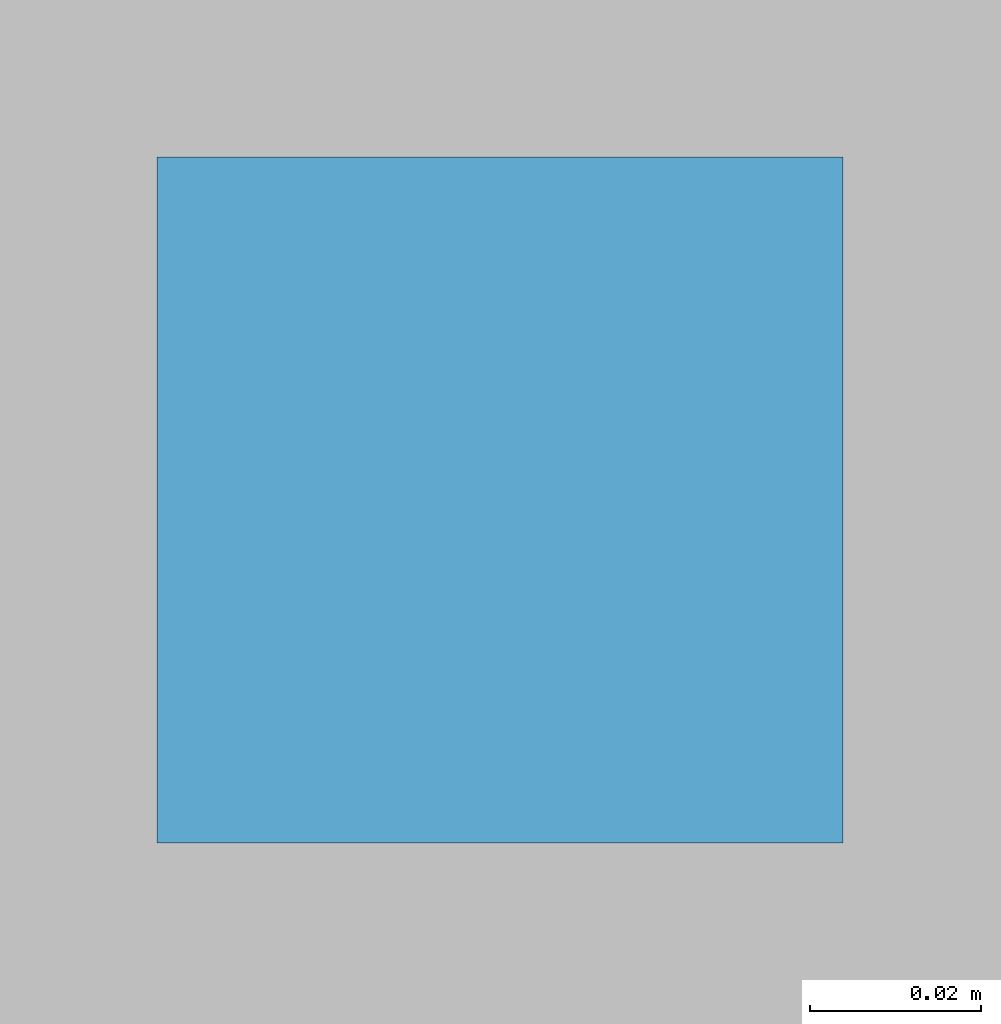
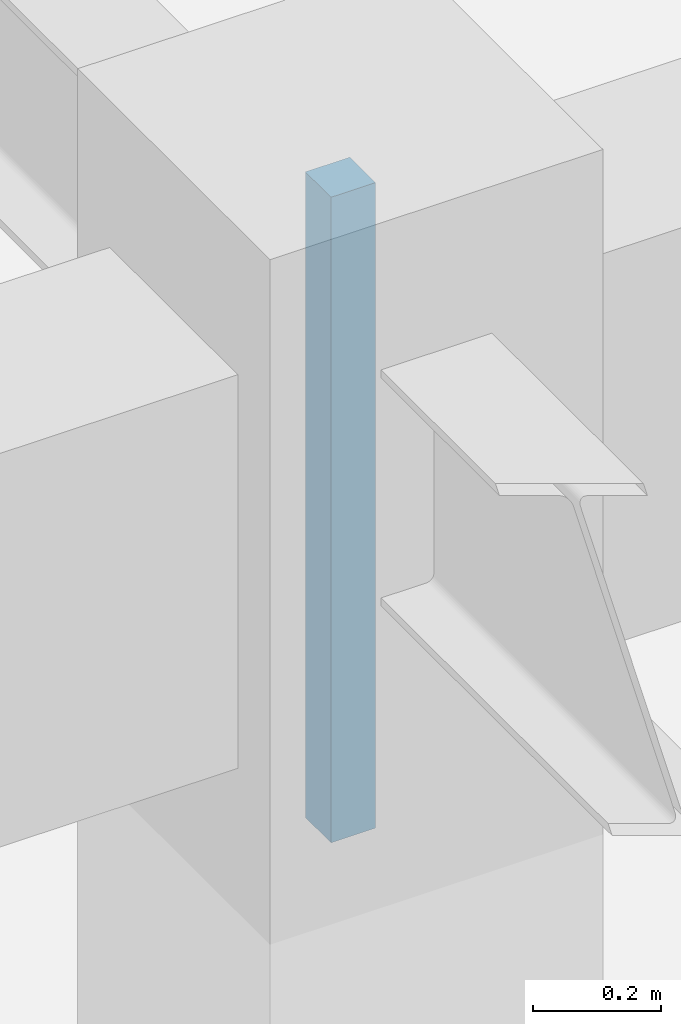
# One storey, part 110 of 126: 1 discrete accessory.
"""IFC4 building model written with IfcOpenShell, lengths in metres."""

import ifcopenshell
import ifcopenshell.guid

model = None  # the IFC model being written
_history = None  # IfcOwnerHistory: only IFC2X3 demands one
_inside = {}  # id of a spatial element -> (the spatial element, [elements in it])
_under = {}  # id of a project, library or spatial element -> (it, [spatial elements below it])
_declared = {}  # id of a project -> (the project, [libraries it declares])
_typed = {}  # id of a type object -> (the type object, [elements of that type])
_made_of = {}  # id of a material, layer set ... -> (it, [elements and type objects made of it])


def new_model(schema):
    """Start an empty IFC model of exactly this schema.

    Asked for "IFC4X3", IfcOpenShell would pick the latest addendum, in which some entities
    have other attributes; the version numbers below select the first issue.
    IFC2X3 requires an IfcOwnerHistory on every rooted entity: one is made here for all.
    """
    global model, _history
    if schema == "IFC4X3":
        model = ifcopenshell.file(schema_version=(4, 3, 0, 0))
    else:
        model = ifcopenshell.file(schema=schema)
    _inside.clear()
    _under.clear()
    _declared.clear()
    _typed.clear()
    _made_of.clear()
    _history = None
    if model.schema == "IFC2X3":
        org = make("IfcOrganization", Name="unknown")
        user = make(
            "IfcPersonAndOrganization",
            ThePerson=make("IfcPerson", FamilyName="unknown"),
            TheOrganization=org,
        )
        app = make(
            "IfcApplication",
            ApplicationDeveloper=org,
            Version="unknown",
            ApplicationFullName="unknown",
            ApplicationIdentifier="unknown",
        )
        _history = make(
            "IfcOwnerHistory",
            OwningUser=user,
            OwningApplication=app,
            ChangeAction="ADDED",
            CreationDate=0,
        )
    return model


def make(cls, **values):
    """One entity of the class cls with the attributes given. An attribute that is None is left unset."""
    return model.create_entity(
        cls, **{name: value for name, value in values.items() if value is not None}
    )


def rooted(cls, **values):
    """An entity with a GlobalId (a new one), such as an element, a storey or a relation."""
    return make(cls, GlobalId=ifcopenshell.guid.new(), OwnerHistory=_history, **values)


def si_unit(unit_type, name, prefix=None):
    """IfcSIUnit, for example si_unit("LENGTHUNIT", "METRE", prefix="MILLI")."""
    return make("IfcSIUnit", UnitType=unit_type, Prefix=prefix, Name=name)


def assignment(units):
    """IfcUnitAssignment: the units of a project."""
    return None if units is None else make("IfcUnitAssignment", Units=units)


def point(xyz):
    """IfcCartesianPoint."""
    return None if xyz is None else make("IfcCartesianPoint", Coordinates=xyz)


def direction(xyz):
    """IfcDirection."""
    return None if xyz is None else make("IfcDirection", DirectionRatios=xyz)


def frame(location, z_axis=None, x_axis=None):
    """IfcAxis2Placement3D, a coordinate frame: its origin and axes. An axis left out is left unset."""
    return make(
        "IfcAxis2Placement3D",
        Location=point(location),
        Axis=direction(z_axis),
        RefDirection=direction(x_axis),
    )


def frame_2d(location, x_axis=None):
    """IfcAxis2Placement2D, a coordinate frame in the plane: its origin and x axis."""
    return make(
        "IfcAxis2Placement2D", Location=point(location), RefDirection=direction(x_axis)
    )


def origin():
    """The frame at (0, 0, 0) with its axes left unset."""
    return frame((0.0, 0.0, 0.0))


def origin_2d():
    """The frame at (0, 0) in the plane with its x axis left unset."""
    return frame_2d((0.0, 0.0))


def place(relative_to, where):
    """IfcLocalPlacement: puts the frame where relative to a parent placement (None: the world)."""
    return make(
        "IfcLocalPlacement", PlacementRelTo=relative_to, RelativePlacement=where
    )


def context(
    kind, dimensions, precision=None, world=None, true_north=None, identifier=None
):
    """IfcGeometricRepresentationContext, for example the 3D "Model" context."""
    return make(
        "IfcGeometricRepresentationContext",
        ContextIdentifier=identifier,
        ContextType=kind,
        CoordinateSpaceDimension=dimensions,
        Precision=precision,
        WorldCoordinateSystem=world,
        TrueNorth=true_north,
    )


def subcontext(parent, identifier, kind, view, scale=None):
    """IfcGeometricRepresentationSubContext, for example "Body" below "Model"."""
    return make(
        "IfcGeometricRepresentationSubContext",
        ContextIdentifier=identifier,
        ContextType=kind,
        ParentContext=parent,
        TargetScale=scale,
        TargetView=view,
    )


def project(units=None, contexts=None):
    """IfcProject with its units and contexts."""
    return rooted(
        "IfcProject",
        Name="project",
        RepresentationContexts=contexts,
        UnitsInContext=assignment(units),
    )


def spatial(cls, under=None, at=None, **own):
    """A site, building, storey or space (cls), placed at a placement, below another one or the project."""
    s = rooted(cls, ObjectPlacement=at, **own)
    if under is not None:
        _under.setdefault(under.id(), (under, []))[1].append(s)
    return s


def profile(cls, at=None, kind="AREA", **sizes):
    """A parametric profile (cls). Its sizes go by their IFC names, for example OverallWidth=200.0."""
    return make(cls, ProfileType=kind, Position=at, **sizes)


def rectangle(**sizes):
    """IfcRectangleProfileDef."""
    return profile("IfcRectangleProfileDef", **sizes)


def extrude(swept, where, along, depth):
    """IfcExtrudedAreaSolid: the profile swept, set in the frame where, extruded along a direction by depth."""
    return make(
        "IfcExtrudedAreaSolid",
        SweptArea=swept,
        Position=where,
        ExtrudedDirection=direction(along),
        Depth=depth,
    )


def shape(context_of_items, identifier, shape_type, items):
    """IfcShapeRepresentation: the items that make up one representation, for example the "Body"."""
    return make(
        "IfcShapeRepresentation",
        ContextOfItems=context_of_items,
        RepresentationIdentifier=identifier,
        RepresentationType=shape_type,
        Items=items,
    )


def material(Name=None, Category=None):
    """IfcMaterial."""
    return make("IfcMaterial", Name=Name, Category=Category)


def layer(
    of_material, thickness, ventilated=None, Name=None, Category=None, Priority=None
):
    """IfcMaterialLayer: one layer of a wall or slab, of a material (None: an air gap)."""
    return make(
        "IfcMaterialLayer",
        Material=of_material,
        LayerThickness=thickness,
        IsVentilated=ventilated,
        Name=Name,
        Category=Category,
        Priority=Priority,
    )


def layer_set(layers, Name=None):
    """IfcMaterialLayerSet."""
    return make("IfcMaterialLayerSet", MaterialLayers=layers, LayerSetName=Name)


def made_of(thing, what):
    """Note that an element or type object is made of a material, layer set ...; save() writes the relation."""
    if what is not None:
        _made_of.setdefault(what.id(), (what, []))[1].append(thing)
    return thing


def type_object(cls, material=None, **own):
    """A type object (cls), such as IfcWallType, which elements share."""
    return made_of(rooted(cls, **own), material)


def element(
    cls,
    number,
    at=None,
    inside=None,
    cuts=None,
    type_object=None,
    material=None,
    context=None,
    identifier="Body",
    shape_type=None,
    held_by="IfcProductDefinitionShape",
    body=None,
    shapes=None,
    **own,
):
    """One element of the class cls, such as IfcWall. Its Tag is "e" and its number.

    at: its placement. inside: the storey or other place that contains it. cuts: it is an
    opening in that element (IfcRelVoidsElement). A single representation is given by context,
    identifier, shape_type and body (its items); several are given by shapes. held_by: the class
    of the entity that holds the representations. save() writes the other relations.
    """
    e = rooted(cls, Tag="e%d" % number, ObjectPlacement=at, **own)
    if body is not None:
        shapes = [shape(context, identifier, shape_type, body)]
    if shapes is not None:
        e.Representation = make(held_by, Representations=shapes)
    if inside is not None:
        _inside.setdefault(inside.id(), (inside, []))[1].append(e)
    if cuts is not None:
        rooted(
            "IfcRelVoidsElement", RelatingBuildingElement=cuts, RelatedOpeningElement=e
        )
    if type_object is not None:
        _typed.setdefault(type_object.id(), (type_object, []))[1].append(e)
    return made_of(e, material)


def aggregate(whole, parts):
    """IfcRelAggregates: a whole, such as a stair, and the parts it consists of."""
    return rooted("IfcRelAggregates", RelatingObject=whole, RelatedObjects=parts)


def save(model, path):
    """Write the relations noted so far, then the file.

    IfcRelAggregates (storeys below a building ...), IfcRelContainedInSpatialStructure (elements
    in a storey), IfcRelDefinesByType, IfcRelAssociatesMaterial and IfcRelDeclares: one each for
    every whole, place, type object, material and project.
    """
    for whole, parts in _under.values():
        aggregate(whole, parts)
    for where, things in _inside.values():
        rooted(
            "IfcRelContainedInSpatialStructure",
            RelatedElements=things,
            RelatingStructure=where,
        )
    for kind, things in _typed.values():
        rooted("IfcRelDefinesByType", RelatedObjects=things, RelatingType=kind)
    for what, things in _made_of.values():
        rooted("IfcRelAssociatesMaterial", RelatedObjects=things, RelatingMaterial=what)
    for by, libraries in _declared.values():
        rooted("IfcRelDeclares", RelatingContext=by, RelatedDefinitions=libraries)
    model.write(path)


model = new_model("IFC4")

# Units and contexts
model_context = context("Model", 3, precision=1e-05, world=origin(), true_north=direction((0.0, 1.0)))
body_context = subcontext(model_context, "Body", "Model", "MODEL_VIEW")
ifc_project = project(units=[si_unit("LENGTHUNIT", "METRE"), si_unit("AREAUNIT", "SQUARE_METRE"), si_unit("VOLUMEUNIT", "CUBIC_METRE"), si_unit("PLANEANGLEUNIT", "RADIAN"), si_unit("MASSUNIT", "GRAM", prefix="KILO")], contexts=[model_context])

# Site, building, storey
site_placement = place(None, origin())
site = spatial("IfcSite", under=ifc_project, at=site_placement, CompositionType="ELEMENT")
building_placement = place(site_placement, origin())
building = spatial("IfcBuilding", under=site, at=building_placement, Name="Varnabhumi Central Station", CompositionType="ELEMENT")
storey_placement = place(building_placement, frame((0.0, 0.0, 16.199951171875)))
storey = spatial("IfcBuildingStorey", under=building, at=storey_placement, Name="L03", CompositionType="ELEMENT", Elevation=16.199951171875)

# Discrete accessory
ifc_material = material(Name="Structural steel E350", Category="steel")
ifc_layer = layer(ifc_material, 0.159912109375, Name="Structural steel E350", Category="steel")
ifc_layer_set = layer_set([ifc_layer], Name="Structural steel E350")
discrete_accessory_type = type_object("IfcDiscreteAccessoryType", Name="ACC-SHADE-BRKT", PredefinedType="BRACKET", material=ifc_layer_set)
discrete_accessory_placement = place(storey_placement, frame((80.0, 27.0, 2.840087890625), z_axis=(0.0, 0.0, 1.0), x_axis=(1.0, 0.0, 0.0)))
element("IfcDiscreteAccessory", 1, at=discrete_accessory_placement, inside=storey, type_object=discrete_accessory_type, Name="Station Control Room Ceiling Hanger", PredefinedType="BRACKET", context=body_context, shape_type="SweptSolid", body=[
    extrude(rectangle(XDim=0.080078125, YDim=0.080078125, at=origin_2d()), origin(), (0.0, 0.0, 1.0), 1.22998046875),
])

save(model, "model.ifc")
